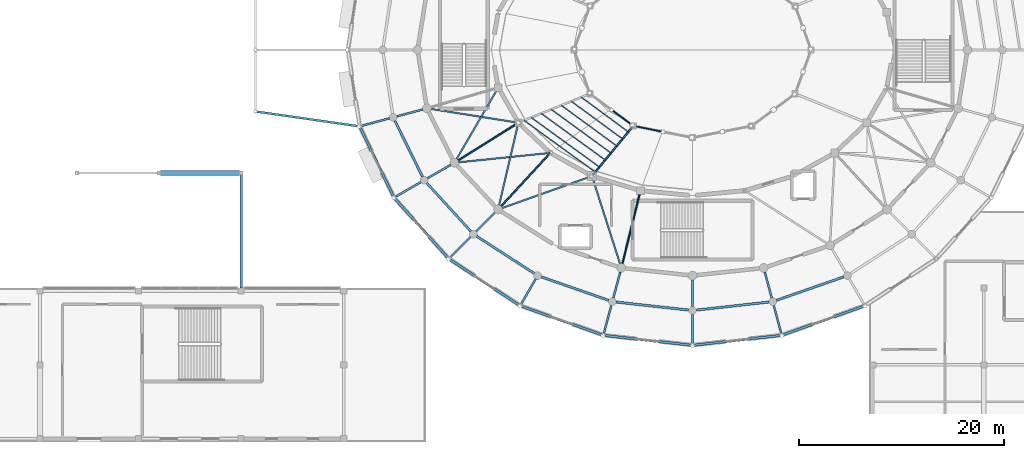
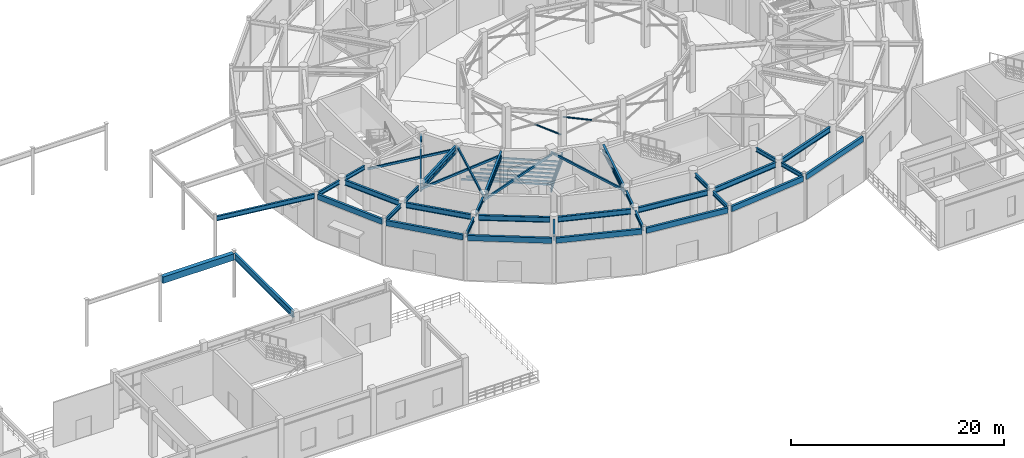
# One storey, part 24 of 93: 34 beams, 21 members.
"""IFC4 building model written with IfcOpenShell, lengths in metres."""

from ifc_helpers import new_model, si_unit, direction, frame, origin, origin_2d, place, context, subcontext, project, spatial, rectangle, hollow_rectangle, hollow_circle, i_section, extrude, material, material_profile, profile_set, type_object, element, save


model = new_model("IFC4")

# Units and contexts
model_context = context("Model", 3, precision=1e-05, world=origin(), true_north=direction((0.0, 1.0)))
body_context = subcontext(model_context, "Body", "Model", "MODEL_VIEW")
ifc_project = project(units=[si_unit("LENGTHUNIT", "METRE"), si_unit("AREAUNIT", "SQUARE_METRE"), si_unit("VOLUMEUNIT", "CUBIC_METRE"), si_unit("PLANEANGLEUNIT", "RADIAN"), si_unit("MASSUNIT", "GRAM", prefix="KILO")], contexts=[model_context])

# Site, building, storey
site_placement = place(None, origin())
site = spatial("IfcSite", under=ifc_project, at=site_placement, CompositionType="ELEMENT")
building_placement = place(site_placement, origin())
building = spatial("IfcBuilding", under=site, at=building_placement, Name="Cinderbank Siding Concert Hall", CompositionType="ELEMENT")
storey_placement = place(building_placement, origin())
storey = spatial("IfcBuildingStorey", under=building, at=storey_placement, Name="L01", CompositionType="ELEMENT", Elevation=0.0)

# Beams
ifc_material_1 = material(Name="Reinforced concrete AS 3600 N50 (50 MPa)", Category="concrete")
ifc_material_profile_1 = material_profile(ifc_material_1, rectangle(XDim=0.449951171875, YDim=0.75, at=origin_2d()), Name="RC-BM-450x750", Category="LoadBearing")
ifc_profile_set_1 = profile_set([ifc_material_profile_1], Name="Reinforced concrete AS 3600 N50 (50 MPa)")
beam_type_1 = type_object("IfcBeamType", Name="BM-RC750 RC-BM-450x750", PredefinedType="BEAM", material=ifc_profile_set_1)
beam_1_placement = place(storey_placement, frame((70.15380859375, 32.0, 4.7470703125), z_axis=(1.0, 0.0, 0.0), x_axis=(0.0, 1.0, 0.0)))
element("IfcBeam", 1, at=beam_1_placement, inside=storey, type_object=beam_type_1, Name="L01 Beam BM-RC750 #1443", PredefinedType="BEAM", context=body_context, shape_type="SweptSolid", body=[
    extrude(rectangle(XDim=0.449951171875, YDim=0.75, at=origin_2d()), origin(), (0.0, 0.0, 1.0), 7.6923828125),
])
ifc_material_2 = material(Name="Structural steel AS/NZS 3679.1 Grade 350 (340 MPa)", Category="steel")
ifc_material_profile_2 = material_profile(ifc_material_2, i_section(OverallWidth=0.19091796875, OverallDepth=0.46044921875, WebThickness=0.010009765625, FlangeThickness=0.01611328125, at=origin_2d()), Name="460UB82.1", Category="LoadBearing")
ifc_profile_set_2 = profile_set([ifc_material_profile_2], Name="Structural steel AS/NZS 3679.1 Grade 350 (340 MPa)")
beam_type_2 = type_object("IfcBeamType", Name="BM-UB460H 460UB82.1", PredefinedType="BEAM", material=ifc_profile_set_2)
beam_2_placement = place(storey_placement, frame((95.71044921875, 38.197998046875, 4.891845703125), z_axis=(-0.965932222184, -0.258795174118, 0.0), x_axis=(0.258795174118, -0.965932222184, 0.0)))
element("IfcBeam", 2, at=beam_2_placement, inside=storey, type_object=beam_type_2, Name="L01 Beam BM-UB460H #405", PredefinedType="BEAM", context=body_context, shape_type="SweptSolid", body=[
    extrude(i_section(OverallWidth=0.19091796875, OverallDepth=0.46044921875, WebThickness=0.010009765625, FlangeThickness=0.01611328125, at=origin_2d()), origin(), (0.0, 0.0, 1.0), 2.615966796875),
])
beam_3_placement = place(storey_placement, frame((98.429443359375, 32.79150390625, 4.891845703125), z_axis=(-0.866017746076, -0.500013263306, 0.0), x_axis=(0.500013263306, -0.866017746076, 0.0)))
element("IfcBeam", 3, at=beam_3_placement, inside=storey, type_object=beam_type_2, Name="L01 Beam BM-UB460H #406", PredefinedType="BEAM", context=body_context, shape_type="SweptSolid", body=[
    extrude(i_section(OverallWidth=0.19091796875, OverallDepth=0.46044921875, WebThickness=0.010009765625, FlangeThickness=0.01611328125, at=origin_2d()), origin(), (0.0, 0.0, 1.0), 2.6162109375),
])
beam_4_placement = place(storey_placement, frame((102.754638671875, 28.148681640625, 4.891845703125), z_axis=(-0.707153444121, -0.707060115172, 0.0), x_axis=(0.707060115172, -0.707153444121, 0.0)))
element("IfcBeam", 4, at=beam_4_placement, inside=storey, type_object=beam_type_2, Name="L01 Beam BM-UB460H #407", PredefinedType="BEAM", context=body_context, shape_type="SweptSolid", body=[
    extrude(i_section(OverallWidth=0.19091796875, OverallDepth=0.46044921875, WebThickness=0.010009765625, FlangeThickness=0.01611328125, at=origin_2d()), origin(), (0.0, 0.0, 1.0), 2.615966796875),
])
beam_5_placement = place(storey_placement, frame((114.955810546875, 22.3466796875, 4.891845703125), z_axis=(-0.258818505844, -0.965925970783, 0.0), x_axis=(0.965925970783, -0.258818505844, 0.0)))
element("IfcBeam", 5, at=beam_5_placement, inside=storey, type_object=beam_type_2, Name="L01 Beam BM-UB460H #408", PredefinedType="BEAM", context=body_context, shape_type="SweptSolid", body=[
    extrude(i_section(OverallWidth=0.19091796875, OverallDepth=0.46044921875, WebThickness=0.010009765625, FlangeThickness=0.01611328125, at=origin_2d()), origin(), (0.0, 0.0, 1.0), 2.61572265625),
])
beam_6_placement = place(storey_placement, frame((122.0, 21.5830078125, 4.891845703125), z_axis=(0.0, -1.0, 0.0), x_axis=(1.0, 0.0, 0.0)))
element("IfcBeam", 6, at=beam_6_placement, inside=storey, type_object=beam_type_2, Name="L01 Beam BM-UB460H #409", PredefinedType="BEAM", context=body_context, shape_type="SweptSolid", body=[
    extrude(i_section(OverallWidth=0.19091796875, OverallDepth=0.46044921875, WebThickness=0.010009765625, FlangeThickness=0.01611328125, at=origin_2d()), origin(), (0.0, 0.0, 1.0), 2.615966796875),
])
beam_7_placement = place(storey_placement, frame((129.044189453125, 22.3466796875, 4.891845703125), z_axis=(0.258818505844, -0.965925970783, 0.0), x_axis=(0.965925970783, 0.258818505844, 0.0)))
element("IfcBeam", 7, at=beam_7_placement, inside=storey, type_object=beam_type_2, Name="L01 Beam BM-UB460H #410", PredefinedType="BEAM", context=body_context, shape_type="SweptSolid", body=[
    extrude(i_section(OverallWidth=0.19091796875, OverallDepth=0.46044921875, WebThickness=0.010009765625, FlangeThickness=0.01611328125, at=origin_2d()), origin(), (0.0, 0.0, 1.0), 2.61572265625),
])
for number, where, z_axis, x_axis, name in (
    (8, (92.474609375, 37.3310546875, 4.871826171875), (-0.965915793318, -0.258856485758, 0.0), (0.258856485758, -0.965915793318, 0.0), "L01 Beam BM-UB460H #429"),
    (9, (95.5283203125, 31.116455078125, 4.871826171875), (-0.866032301043, -0.499988053408, 0.0), (0.499988053408, -0.866032301043, 0.0), "L01 Beam BM-UB460H #430"),
):
    element("IfcBeam", number, at=place(storey_placement, frame(where, z_axis=z_axis, x_axis=x_axis)), inside=storey, type_object=beam_type_2, Name=name, PredefinedType="BEAM", context=body_context, shape_type="SweptSolid", body=[
        extrude(i_section(OverallWidth=0.19091796875, OverallDepth=0.46044921875, WebThickness=0.010009765625, FlangeThickness=0.01611328125, at=origin_2d()), origin(), (0.0, 0.0, 1.0), 2.837890625),
    ])
beam_8_placement = place(storey_placement, frame((100.385986328125, 25.780029296875, 4.871826171875), z_axis=(-0.707106781187, -0.707106781187, 0.0), x_axis=(0.707106781187, -0.707106781187, 0.0)))
element("IfcBeam", 10, at=beam_8_placement, inside=storey, type_object=beam_type_2, Name="L01 Beam BM-UB460H #431", PredefinedType="BEAM", context=body_context, shape_type="SweptSolid", body=[
    extrude(i_section(OverallWidth=0.19091796875, OverallDepth=0.46044921875, WebThickness=0.010009765625, FlangeThickness=0.01611328125, at=origin_2d()), origin(), (0.0, 0.0, 1.0), 2.838134765625),
])
for number, where, z_axis, x_axis, name in (
    (11, (106.716552734375, 21.685302734375, 4.871826171875), (-0.499988053408, -0.866032301043, 0.0), (0.866032301043, -0.499988053408, 0.0), "L01 Beam BM-UB460H #432"),
    (12, (114.088623046875, 19.111083984375, 4.871826171875), (-0.258776220076, -0.965937300203, 0.0), (0.965937300203, -0.258776220076, 0.0), "L01 Beam BM-UB460H #433"),
):
    element("IfcBeam", number, at=place(storey_placement, frame(where, z_axis=z_axis, x_axis=x_axis)), inside=storey, type_object=beam_type_2, Name=name, PredefinedType="BEAM", context=body_context, shape_type="SweptSolid", body=[
        extrude(i_section(OverallWidth=0.19091796875, OverallDepth=0.46044921875, WebThickness=0.010009765625, FlangeThickness=0.01611328125, at=origin_2d()), origin(), (0.0, 0.0, 1.0), 2.837890625),
    ])
beam_9_placement = place(storey_placement, frame((122.0, 18.23291015625, 4.871826171875), z_axis=(0.0, -1.0, 0.0), x_axis=(1.0, 0.0, 0.0)))
element("IfcBeam", 13, at=beam_9_placement, inside=storey, type_object=beam_type_2, Name="L01 Beam BM-UB460H #434", PredefinedType="BEAM", context=body_context, shape_type="SweptSolid", body=[
    extrude(i_section(OverallWidth=0.19091796875, OverallDepth=0.46044921875, WebThickness=0.010009765625, FlangeThickness=0.01611328125, at=origin_2d()), origin(), (0.0, 0.0, 1.0), 2.837646484375),
])
beam_10_placement = place(storey_placement, frame((129.911376953125, 19.111083984375, 4.871826171875), z_axis=(0.258776220076, -0.965937300203, 0.0), x_axis=(0.965937300203, 0.258776220076, 0.0)))
element("IfcBeam", 14, at=beam_10_placement, inside=storey, type_object=beam_type_2, Name="L01 Beam BM-UB460H #435", PredefinedType="BEAM", context=body_context, shape_type="SweptSolid", body=[
    extrude(i_section(OverallWidth=0.19091796875, OverallDepth=0.46044921875, WebThickness=0.010009765625, FlangeThickness=0.01611328125, at=origin_2d()), origin(), (0.0, 0.0, 1.0), 2.837890625),
])
ifc_material_profile_3 = material_profile(ifc_material_2, i_section(OverallWidth=0.208984375, OverallDepth=0.5283203125, WebThickness=0.009521484375, FlangeThickness=0.01318359375, at=origin_2d()), Name="530UB82.0", Category="LoadBearing")
ifc_profile_set_3 = profile_set([ifc_material_profile_3], Name="Structural steel AS/NZS 3679.1 Grade 350 (340 MPa)")
beam_type_3 = type_object("IfcBeamType", Name="BM-UB530 530UB82.0", PredefinedType="BEAM", material=ifc_profile_set_3)
beam_11_placement = place(storey_placement, frame((79.552490234375, 37.978271484375, 4.8359375), z_axis=(0.989883786207, -0.141880547662, 0.0), x_axis=(0.141880547662, 0.989883786207, 0.0)))
element("IfcBeam", 15, at=beam_11_placement, inside=storey, type_object=beam_type_3, Name="L01 Beam BM-UB530 #33", PredefinedType="BEAM", context=body_context, shape_type="SweptSolid", body=[
    extrude(i_section(OverallWidth=0.208984375, OverallDepth=0.5283203125, WebThickness=0.009521484375, FlangeThickness=0.01318359375, at=origin_2d()), origin(), (0.0, 0.0, 1.0), 9.8994140625),
])
ifc_material_profile_4 = material_profile(ifc_material_2, i_section(OverallWidth=0.208984375, OverallDepth=0.532958984375, WebThickness=0.01025390625, FlangeThickness=0.015625, at=origin_2d()), Name="530UB92.4", Category="LoadBearing")
ifc_profile_set_4 = profile_set([ifc_material_profile_4], Name="Structural steel AS/NZS 3679.1 Grade 350 (340 MPa)")
beam_type_4 = type_object("IfcBeamType", Name="BM-UB530H 530UB92.4", PredefinedType="BEAM", material=ifc_profile_set_4)
beam_12_placement = place(storey_placement, frame((116.193115234375, 36.556884765625, -0.25146484375), z_axis=(-0.625608960275, -0.760554810205, 0.173694586838), x_axis=(0.772294012286, -0.635265266316, 0.0)))
element("IfcBeam", 16, at=beam_12_placement, inside=storey, type_object=beam_type_4, Name="L01 Beam BM-UB530H #99", PredefinedType="BEAM", context=body_context, shape_type="SweptSolid", body=[
    extrude(i_section(OverallWidth=0.208984375, OverallDepth=0.532958984375, WebThickness=0.01025390625, FlangeThickness=0.015625, at=origin_2d()), origin(), (0.0, 0.0, 1.0), 6.33203125),
])
beam_13_placement = place(storey_placement, frame((104.73583984375, 36.718505859375, 4.87548828125), z_axis=(-0.847831894761, -0.530265101836, 0.0), x_axis=(0.530265101836, -0.847831894761, 0.0)))
element("IfcBeam", 17, at=beam_13_placement, inside=storey, type_object=beam_type_4, Name="L01 Beam BM-UB530H #386", PredefinedType="BEAM", context=body_context, shape_type="SweptSolid", body=[
    extrude(i_section(OverallWidth=0.208984375, OverallDepth=0.532958984375, WebThickness=0.01025390625, FlangeThickness=0.015625, at=origin_2d()), origin(), (0.0, 0.0, 1.0), 6.595458984375),
])
beam_14_placement = place(storey_placement, frame((108.010498046875, 33.818115234375, 4.87548828125), z_axis=(-0.678277162402, -0.734806158768, 0.0), x_axis=(0.734806158768, -0.678277162402, 0.0)))
element("IfcBeam", 18, at=beam_14_placement, inside=storey, type_object=beam_type_4, Name="L01 Beam BM-UB530H #387", PredefinedType="BEAM", context=body_context, shape_type="SweptSolid", body=[
    extrude(i_section(OverallWidth=0.208984375, OverallDepth=0.532958984375, WebThickness=0.01025390625, FlangeThickness=0.015625, at=origin_2d()), origin(), (0.0, 0.0, 1.0), 6.897216796875),
])
beam_15_placement = place(storey_placement, frame((116.839111328125, 29.927490234375, 4.87548828125), z_axis=(-0.240106099592, -0.970746651263, 0.0), x_axis=(0.970746651263, -0.240106099592, 0.0)))
element("IfcBeam", 19, at=beam_15_placement, inside=storey, type_object=beam_type_4, Name="L01 Beam BM-UB530H #388", PredefinedType="BEAM", context=body_context, shape_type="SweptSolid", body=[
    extrude(i_section(OverallWidth=0.208984375, OverallDepth=0.532958984375, WebThickness=0.01025390625, FlangeThickness=0.015625, at=origin_2d()), origin(), (0.0, 0.0, 1.0), 6.977294921875),
])
ifc_material_profile_5 = material_profile(ifc_material_2, i_section(OverallWidth=0.22802734375, OverallDepth=0.60693359375, WebThickness=0.01123046875, FlangeThickness=0.017333984375, at=origin_2d()), Name="610UB113", Category="LoadBearing")
ifc_profile_set_5 = profile_set([ifc_material_profile_5], Name="Structural steel AS/NZS 3679.1 Grade 350 (340 MPa)")
beam_type_5 = type_object("IfcBeamType", Name="BM-UB610M 610UB113", PredefinedType="BEAM", material=ifc_profile_set_5)
beam_16_placement = place(storey_placement, frame((92.9912109375, 37.0966796875, 4.798583984375), z_axis=(0.441805555106, -0.89711083567, 0.0), x_axis=(0.89711083567, 0.441805555106, 0.0)))
element("IfcBeam", 20, at=beam_16_placement, inside=storey, type_object=beam_type_5, Name="L01 Beam BM-UB610M #346", PredefinedType="BEAM", context=body_context, shape_type="SweptSolid", body=[
    extrude(i_section(OverallWidth=0.22802734375, OverallDepth=0.60693359375, WebThickness=0.01123046875, FlangeThickness=0.017333984375, at=origin_2d()), origin(), (0.0, 0.0, 1.0), 6.094482421875),
])
beam_17_placement = place(storey_placement, frame((96.093505859375, 31.02880859375, 4.798583984375), z_axis=(0.673967477755, -0.738761016113, 0.0), x_axis=(0.738761016113, 0.673967477755, 0.0)))
element("IfcBeam", 21, at=beam_17_placement, inside=storey, type_object=beam_type_5, Name="L01 Beam BM-UB610M #347", PredefinedType="BEAM", context=body_context, shape_type="SweptSolid", body=[
    extrude(i_section(OverallWidth=0.22802734375, OverallDepth=0.60693359375, WebThickness=0.01123046875, FlangeThickness=0.017333984375, at=origin_2d()), origin(), (0.0, 0.0, 1.0), 6.38671875),
])
beam_18_placement = place(storey_placement, frame((100.953857421875, 25.840576171875, 4.798583984375), z_axis=(0.840198253685, -0.542279350984, 0.0), x_axis=(0.542279350984, 0.840198253685, 0.0)))
element("IfcBeam", 22, at=beam_18_placement, inside=storey, type_object=beam_type_5, Name="L01 Beam BM-UB610M #348", PredefinedType="BEAM", context=body_context, shape_type="SweptSolid", body=[
    extrude(i_section(OverallWidth=0.22802734375, OverallDepth=0.60693359375, WebThickness=0.01123046875, FlangeThickness=0.017333984375, at=origin_2d()), origin(), (0.0, 0.0, 1.0), 6.7099609375),
])
beam_19_placement = place(storey_placement, frame((107.24658203125, 21.88232421875, 4.798583984375), z_axis=(0.944329139602, -0.329002243303, 0.0), x_axis=(0.329002243303, 0.944329139602, 0.0)))
element("IfcBeam", 23, at=beam_19_placement, inside=storey, type_object=beam_type_5, Name="L01 Beam BM-UB610M #349", PredefinedType="BEAM", context=body_context, shape_type="SweptSolid", body=[
    extrude(i_section(OverallWidth=0.22802734375, OverallDepth=0.60693359375, WebThickness=0.01123046875, FlangeThickness=0.017333984375, at=origin_2d()), origin(), (0.0, 0.0, 1.0), 6.97900390625),
])
for number, where, z_axis, x_axis, name in (
    (24, (114.548583984375, 19.425048828125, 4.798583984375), (0.993925837604, -0.1100519393, 0.0), (0.1100519393, 0.993925837604, 0.0), "L01 Beam BM-UB610M #350"),
    (25, (122.36474609375, 18.640380859375, 4.798583984375), (0.993925837604, 0.1100519393, 0.0), (-0.1100519393, 0.993925837604, 0.0), "L01 Beam BM-UB610M #351"),
):
    element("IfcBeam", number, at=place(storey_placement, frame(where, z_axis=z_axis, x_axis=x_axis)), inside=storey, type_object=beam_type_5, Name=name, PredefinedType="BEAM", context=body_context, shape_type="SweptSolid", body=[
        extrude(i_section(OverallWidth=0.22802734375, OverallDepth=0.60693359375, WebThickness=0.01123046875, FlangeThickness=0.017333984375, at=origin_2d()), origin(), (0.0, 0.0, 1.0), 7.1298828125),
    ])
beam_20_placement = place(storey_placement, frame((130.162841796875, 19.586181640625, 4.798583984375), z_axis=(0.944329139602, 0.329002243303, 0.0), x_axis=(-0.329002243303, 0.944329139602, 0.0)))
element("IfcBeam", 26, at=beam_20_placement, inside=storey, type_object=beam_type_5, Name="L01 Beam BM-UB610M #352", PredefinedType="BEAM", context=body_context, shape_type="SweptSolid", body=[
    extrude(i_section(OverallWidth=0.22802734375, OverallDepth=0.60693359375, WebThickness=0.01123046875, FlangeThickness=0.017333984375, at=origin_2d()), origin(), (0.0, 0.0, 1.0), 6.97900390625),
])
ifc_material_3 = material(Name="Structural steel welded plate section AS/NZS 3679.2 / AS/NZS 3678 Grade 350 (340 MPa)", Category="steel")
ifc_material_profile_6 = material_profile(ifc_material_3, i_section(OverallWidth=0.25, OverallDepth=0.699951171875, WebThickness=0.010009765625, FlangeThickness=0.01611328125, at=origin_2d()), Name="700WB130", Category="LoadBearing")
ifc_profile_set_6 = profile_set([ifc_material_profile_6], Name="Structural steel welded plate section AS/NZS 3679.2 / AS/NZS 3678 Grade 350 (340 MPa)")
beam_type_6 = type_object("IfcBeamType", Name="BM-WB700 700WB130", PredefinedType="BEAM", material=ifc_profile_set_6)
beam_21_placement = place(storey_placement, frame((78.0, 20.7919921875, 4.7919921875), z_axis=(0.0, 1.0, 0.0), x_axis=(-1.0, 0.0, 0.0)))
element("IfcBeam", 27, at=beam_21_placement, inside=storey, type_object=beam_type_6, Name="L01 Beam BM-WB700 #1403", PredefinedType="BEAM", context=body_context, shape_type="SweptSolid", body=[
    extrude(i_section(OverallWidth=0.25, OverallDepth=0.699951171875, WebThickness=0.010009765625, FlangeThickness=0.01611328125, at=origin_2d()), origin(), (0.0, 0.0, 1.0), 11.05419921875),
])

# Members
ifc_material_4 = material(Name="Structural steel hollow section AS/NZS 1163 Grade C350L0 (350 MPa)", Category="steel")
ifc_material_profile_7 = material_profile(ifc_material_4, hollow_circle(Radius=0.084228515625, WallThickness=0.007080078125, at=origin_2d()), Name="168.3x7.1CHS", Category="LoadBearing")
ifc_profile_set_7 = profile_set([ifc_material_profile_7], Name="Structural steel hollow section AS/NZS 1163 Grade C350L0 (350 MPa)")
member_type_1 = type_object("IfcMemberType", Name="BR-CHS168 168.3x7.1CHS Roof Truss", PredefinedType="BRACE", material=ifc_profile_set_7)
member_1_placement = place(storey_placement, frame((116.22509765625, 36.595458984375, 0.300048828125), z_axis=(-0.631227525704, -0.767335601999, 0.1129065308), x_axis=(0.772273819235, -0.635289814277, 0.0)))
element("IfcMember", 28, at=member_1_placement, inside=storey, type_object=member_type_1, Name="L01 Diagonal Brace BR-CHS168 #RKDG-BR-CHS168-L01-1930", PredefinedType="BRACE", context=body_context, shape_type="SweptSolid", body=[
    extrude(hollow_circle(Radius=0.084228515625, WallThickness=0.007080078125, at=origin_2d()), origin(), (0.0, 0.0, 1.0), 6.376708984375),
])
member_2_placement = place(storey_placement, frame((112.199951171875, 31.702392578125, 0.300048828125), z_axis=(0.634149540492, 0.770887674564, -0.059887840999), x_axis=(-0.772273819235, 0.635289814277, 0.0)))
element("IfcMember", 29, at=member_2_placement, inside=storey, type_object=member_type_1, Name="L01 Diagonal Brace BR-CHS168 #RKDG-BR-CHS168-L01-1931", PredefinedType="BRACE", context=body_context, shape_type="SweptSolid", body=[
    extrude(hollow_circle(Radius=0.084228515625, WallThickness=0.007080078125, at=origin_2d()), origin(), (0.0, 0.0, 1.0), 6.347412109375),
])
member_3_placement = place(storey_placement, frame((116.16064453125, 36.64306640625, 2.39990234375), z_axis=(-0.74623631097, 0.552459772201, 0.3713752392), x_axis=(-0.595013427463, -0.803715758921, 0.0)))
element("IfcMember", 30, at=member_3_placement, inside=storey, type_object=member_type_1, Name="L01 Diagonal Brace BR-CHS168 #RKCR-BR-CHS168-L01-2037", PredefinedType="BRACE", context=body_context, shape_type="SweptSolid", body=[
    extrude(hollow_circle(Radius=0.084228515625, WallThickness=0.007080078125, at=origin_2d()), origin(), (0.0, 0.0, 1.0), 2.7314453125),
])
member_4_placement = place(storey_placement, frame((119.0986328125, 36.025390625, 3.425048828125), z_axis=(-0.92403482777, 0.183289640481, 0.335506400475), x_axis=(-0.194567156265, -0.980889199504, 0.0)))
element("IfcMember", 31, at=member_4_placement, inside=storey, type_object=member_type_1, Name="L01 Diagonal Brace BR-CHS168 #RKCR-BR-CHS168-L01-2039-S173", PredefinedType="BRACE", context=body_context, shape_type="SweptSolid", body=[
    extrude(hollow_circle(Radius=0.084228515625, WallThickness=0.007080078125, at=origin_2d()), origin(), (0.0, 0.0, 1.0), 3.02490234375),
])
ifc_material_profile_8 = material_profile(ifc_material_4, hollow_rectangle(XDim=0.10009765625, YDim=0.199951171875, WallThickness=0.008056640625, at=origin_2d()), Name="200x100x8.0RHS", Category="LoadBearing")
ifc_profile_set_8 = profile_set([ifc_material_profile_8], Name="Structural steel hollow section AS/NZS 1163 Grade C350L0 (350 MPa)")
member_type_2 = type_object("IfcMemberType", Name="PR-RHS200 200x100x8.0RHS Roof Truss", PredefinedType="PURLIN", material=ifc_profile_set_8)
member_5_placement = place(storey_placement, frame((111.160888671875, 39.385986328125, -0.16796875), z_axis=(0.804873593743, -0.593446289141, 0.0), x_axis=(0.593446289141, 0.804873593743, 0.0)))
element("IfcMember", 32, at=member_5_placement, inside=storey, type_object=member_type_2, Name="L01 Roof Truss Member PR-RHS200 #1963", PredefinedType="PURLIN", context=body_context, shape_type="SweptSolid", body=[
    extrude(hollow_rectangle(XDim=0.10009765625, YDim=0.199951171875, WallThickness=0.008056640625, at=origin_2d()), origin(), (0.0, 0.0, 1.0), 5.691650390625),
])
member_6_placement = place(storey_placement, frame((110.184814453125, 38.990478515625, -0.013916015625), z_axis=(0.806002667019, -0.591911902869, 0.0), x_axis=(0.591911902869, 0.806002667019, 0.0)))
element("IfcMember", 33, at=member_6_placement, inside=storey, type_object=member_type_2, Name="L01 Roof Truss Member PR-RHS200 #1964", PredefinedType="PURLIN", context=body_context, shape_type="SweptSolid", body=[
    extrude(hollow_rectangle(XDim=0.10009765625, YDim=0.199951171875, WallThickness=0.008056640625, at=origin_2d()), origin(), (0.0, 0.0, 1.0), 6.195556640625),
])
member_7_placement = place(storey_placement, frame((109.208740234375, 38.594970703125, 0.139892578125), z_axis=(0.806959583064, -0.590606663779, 0.0), x_axis=(0.590606663779, 0.806959583064, 0.0)))
element("IfcMember", 34, at=member_7_placement, inside=storey, type_object=member_type_2, Name="L01 Roof Truss Member PR-RHS200 #1965", PredefinedType="PURLIN", context=body_context, shape_type="SweptSolid", body=[
    extrude(hollow_rectangle(XDim=0.10009765625, YDim=0.199951171875, WallThickness=0.008056640625, at=origin_2d()), origin(), (0.0, 0.0, 1.0), 6.699462890625),
])
member_8_placement = place(storey_placement, frame((108.23291015625, 38.199462890625, 0.2939453125), z_axis=(0.807769138252, -0.589498956137, 0.0), x_axis=(0.589498956137, 0.807769138252, 0.0)))
element("IfcMember", 35, at=member_8_placement, inside=storey, type_object=member_type_2, Name="L01 Roof Truss Member PR-RHS200 #1966", PredefinedType="PURLIN", context=body_context, shape_type="SweptSolid", body=[
    extrude(hollow_rectangle(XDim=0.10009765625, YDim=0.199951171875, WallThickness=0.008056640625, at=origin_2d()), origin(), (0.0, 0.0, 1.0), 7.203369140625),
])
member_9_placement = place(storey_placement, frame((107.2568359375, 37.803955078125, 0.447998046875), z_axis=(0.808497668227, -0.588499380179, 0.0), x_axis=(0.588499380179, 0.808497668227, 0.0)))
element("IfcMember", 36, at=member_9_placement, inside=storey, type_object=member_type_2, Name="L01 Roof Truss Member PR-RHS200 #1967", PredefinedType="PURLIN", context=body_context, shape_type="SweptSolid", body=[
    extrude(hollow_rectangle(XDim=0.10009765625, YDim=0.199951171875, WallThickness=0.008056640625, at=origin_2d()), origin(), (0.0, 0.0, 1.0), 7.70703125),
])
member_10_placement = place(storey_placement, frame((106.28076171875, 37.408447265625, 0.60205078125), z_axis=(0.80912163461, -0.587641200398, 0.0), x_axis=(0.587641200398, 0.80912163461, 0.0)))
element("IfcMember", 37, at=member_10_placement, inside=storey, type_object=member_type_2, Name="L01 Roof Truss Member PR-RHS200 #1968", PredefinedType="PURLIN", context=body_context, shape_type="SweptSolid", body=[
    extrude(hollow_rectangle(XDim=0.10009765625, YDim=0.199951171875, WallThickness=0.008056640625, at=origin_2d()), origin(), (0.0, 0.0, 1.0), 8.211181640625),
])
member_11_placement = place(storey_placement, frame((105.58349609375, 37.1259765625, 0.7119140625), z_axis=(0.809508911887, -0.587107589438, 0.0), x_axis=(0.587107589438, 0.809508911887, 0.0)))
element("IfcMember", 38, at=member_11_placement, inside=storey, type_object=member_type_2, Name="L01 Roof Truss Member PR-RHS200 #1969", PredefinedType="PURLIN", context=body_context, shape_type="SweptSolid", body=[
    extrude(hollow_rectangle(XDim=0.10009765625, YDim=0.199951171875, WallThickness=0.008056640625, at=origin_2d()), origin(), (0.0, 0.0, 1.0), 8.5712890625),
])
member_12_placement = place(storey_placement, frame((105.02587890625, 36.89990234375, 4.239990234375), z_axis=(-0.847826684568, -0.530273432235, 0.0), x_axis=(0.530273432235, -0.847826684568, 0.0)))
element("IfcMember", 39, at=member_12_placement, inside=storey, type_object=member_type_2, Name="L01 Roof Truss Member PR-RHS200 #2196", PredefinedType="PURLIN", context=body_context, shape_type="SweptSolid", body=[
    extrude(hollow_rectangle(XDim=0.10009765625, YDim=0.199951171875, WallThickness=0.008056640625, at=origin_2d()), origin(), (0.0, 0.0, 1.0), 7.3544921875),
])
member_13_placement = place(storey_placement, frame((108.140625, 33.958984375, 4.239990234375), z_axis=(-0.678276049894, -0.734807185689, 0.0), x_axis=(0.734807185689, -0.678276049894, 0.0)))
element("IfcMember", 40, at=member_13_placement, inside=storey, type_object=member_type_2, Name="L01 Roof Truss Member PR-RHS200 #2198", PredefinedType="PURLIN", context=body_context, shape_type="SweptSolid", body=[
    extrude(hollow_rectangle(XDim=0.10009765625, YDim=0.199951171875, WallThickness=0.008056640625, at=origin_2d()), origin(), (0.0, 0.0, 1.0), 7.505859375),
])
member_14_placement = place(storey_placement, frame((116.927001953125, 30.283935546875, 4.239990234375), z_axis=(-0.240070192761, -0.970755531814, 0.0), x_axis=(0.970755531814, -0.240070192761, 0.0)))
element("IfcMember", 41, at=member_14_placement, inside=storey, type_object=member_type_2, Name="L01 Roof Truss Member PR-RHS200 #2200", PredefinedType="PURLIN", context=body_context, shape_type="SweptSolid", body=[
    extrude(hollow_rectangle(XDim=0.10009765625, YDim=0.199951171875, WallThickness=0.008056640625, at=origin_2d()), origin(), (0.0, 0.0, 1.0), 7.761474609375),
])

# Beams
ifc_material_5 = material(Name="Spotted gum glulam timber GL18 (42 MPa)", Category="wood")
ifc_material_profile_9 = material_profile(ifc_material_5, rectangle(XDim=0.239990234375, YDim=0.60009765625, at=origin_2d()), Name="GL18-240x600", Category="LoadBearing")
ifc_profile_set_9 = profile_set([ifc_material_profile_9], Name="Spotted gum glulam timber GL18 (42 MPa)")
beam_type_7 = type_object("IfcBeamType", Name="SP-GL600 GL18-240x600", PredefinedType="SPANDREL", material=ifc_profile_set_9)
beam_22_placement = place(storey_placement, frame((89.6298828125, 36.3701171875, 4.802001953125), z_axis=(0.435119119312, -0.900372896087, 0.0), x_axis=(0.900372896087, 0.435119119312, 0.0)))
element("IfcBeam", 42, at=beam_22_placement, inside=storey, type_object=beam_type_7, Name="L01 Beam SP-GL600 #370", PredefinedType="SPANDREL", context=body_context, shape_type="SweptSolid", body=[
    extrude(rectangle(XDim=0.239990234375, YDim=0.60009765625, at=origin_2d()), origin(), (0.0, 0.0, 1.0), 7.323974609375),
])
beam_23_placement = place(storey_placement, frame((93.03173828125, 29.45458984375, 4.802001953125), z_axis=(0.66699631625, -0.745061013682, 0.0), x_axis=(0.745061013682, 0.66699631625, 0.0)))
element("IfcBeam", 43, at=beam_23_placement, inside=storey, type_object=beam_type_7, Name="L01 Beam SP-GL600 #371", PredefinedType="SPANDREL", context=body_context, shape_type="SweptSolid", body=[
    extrude(rectangle(XDim=0.239990234375, YDim=0.60009765625, at=origin_2d()), origin(), (0.0, 0.0, 1.0), 7.615234375),
])
beam_24_placement = place(storey_placement, frame((98.404296875, 23.528076171875, 4.802001953125), z_axis=(0.835488051266, -0.549508613392, 0.0), x_axis=(0.549508613392, 0.835488051266, 0.0)))
element("IfcBeam", 44, at=beam_24_placement, inside=storey, type_object=beam_type_7, Name="L01 Beam SP-GL600 #372", PredefinedType="SPANDREL", context=body_context, shape_type="SweptSolid", body=[
    extrude(rectangle(XDim=0.239990234375, YDim=0.60009765625, at=origin_2d()), origin(), (0.0, 0.0, 1.0), 7.9384765625),
])
beam_25_placement = place(storey_placement, frame((105.3837890625, 18.9931640625, 4.802001953125), z_axis=(0.942369378189, -0.334574289287, 0.0), x_axis=(0.334574289287, 0.942369378189, 0.0)))
element("IfcBeam", 45, at=beam_25_placement, inside=storey, type_object=beam_type_7, Name="L01 Beam SP-GL600 #373", PredefinedType="SPANDREL", context=body_context, shape_type="SweptSolid", body=[
    extrude(rectangle(XDim=0.239990234375, YDim=0.60009765625, at=origin_2d()), origin(), (0.0, 0.0, 1.0), 8.209228515625),
])
for number, where, z_axis, x_axis, name in (
    (46, (113.497802734375, 16.159423828125, 4.802001953125), (0.993693548107, -0.112129980157, 0.0), (0.112129980157, 0.993693548107, 0.0), "L01 Beam SP-GL600 #374"),
    (47, (122.194091796875, 15.221923828125, 4.802001953125), (0.993693548107, 0.112129980157, 0.0), (-0.112129980157, 0.993693548107, 0.0), "L01 Beam SP-GL600 #375"),
):
    element("IfcBeam", number, at=place(storey_placement, frame(where, z_axis=z_axis, x_axis=x_axis)), inside=storey, type_object=beam_type_7, Name=name, PredefinedType="SPANDREL", context=body_context, shape_type="SweptSolid", body=[
        extrude(rectangle(XDim=0.239990234375, YDim=0.60009765625, at=origin_2d()), origin(), (0.0, 0.0, 1.0), 8.36083984375),
    ])
beam_26_placement = place(storey_placement, frame((130.880126953125, 16.24658203125, 4.802001953125), z_axis=(0.942369378189, 0.334574289287, 0.0), x_axis=(-0.334574289287, 0.942369378189, 0.0)))
element("IfcBeam", 48, at=beam_26_placement, inside=storey, type_object=beam_type_7, Name="L01 Beam SP-GL600 #376", PredefinedType="SPANDREL", context=body_context, shape_type="SweptSolid", body=[
    extrude(rectangle(XDim=0.239990234375, YDim=0.60009765625, at=origin_2d()), origin(), (0.0, 0.0, 1.0), 8.209228515625),
])

# Members
ifc_material_profile_10 = material_profile(ifc_material_4, hollow_rectangle(XDim=0.14990234375, YDim=0.25, WallThickness=0.009033203125, at=origin_2d()), Name="250x150x9.0RHS", Category="LoadBearing")
ifc_profile_set_10 = profile_set([ifc_material_profile_10], Name="Structural steel hollow section AS/NZS 1163 Grade C350L0 (350 MPa)")
member_type_3 = type_object("IfcMemberType", Name="TR-RHS250 250x150x9.0RHS Roof Truss", PredefinedType="RAFTER", material=ifc_profile_set_10)
member_15_placement = place(storey_placement, frame((116.22509765625, 36.595458984375, 0.300048828125), z_axis=(-0.635289814277, -0.772273819235, 0.0), x_axis=(0.772273819235, -0.635289814277, 0.0)))
element("IfcMember", 49, at=member_15_placement, inside=storey, type_object=member_type_3, Name="L01 Roof Truss Member TR-RHS250 #1929", PredefinedType="RAFTER", context=body_context, shape_type="SweptSolid", body=[
    extrude(hollow_rectangle(XDim=0.14990234375, YDim=0.25, WallThickness=0.009033203125, at=origin_2d()), origin(), (0.0, 0.0, 1.0), 6.3359375),
])
member_16_placement = place(storey_placement, frame((103.06787109375, 40.32470703125, 4.780029296875), z_axis=(-0.50427542144, -0.863542876372, 0.0), x_axis=(0.863542876372, -0.50427542144, 0.0)))
element("IfcMember", 50, at=member_16_placement, inside=storey, type_object=member_type_3, Name="L01 Roof Truss Member TR-RHS250 #2191", PredefinedType="RAFTER", context=body_context, shape_type="SweptSolid", body=[
    extrude(hollow_rectangle(XDim=0.14990234375, YDim=0.25, WallThickness=0.009033203125, at=origin_2d()), origin(), (0.0, 0.0, 1.0), 8.482177734375),
])
member_17_placement = place(storey_placement, frame((105.02587890625, 36.89990234375, 4.5), z_axis=(-0.987784236991, 0.155827793262, 0.0), x_axis=(-0.155827793262, -0.987784236991, 0.0)))
element("IfcMember", 51, at=member_17_placement, inside=storey, type_object=member_type_3, Name="L01 Roof Truss Member TR-RHS250 #2192", PredefinedType="RAFTER", context=body_context, shape_type="SweptSolid", body=[
    extrude(hollow_rectangle(XDim=0.14990234375, YDim=0.25, WallThickness=0.009033203125, at=origin_2d()), origin(), (0.0, 0.0, 1.0), 9.022705078125),
])
member_18_placement = place(storey_placement, frame((105.02587890625, 36.89990234375, 4.780029296875), z_axis=(-0.227577092084, -0.973760066525, 0.0), x_axis=(0.973760066525, -0.227577092084, 0.0)))
element("IfcMember", 52, at=member_18_placement, inside=storey, type_object=member_type_3, Name="L01 Roof Truss Member TR-RHS250 #2194", PredefinedType="RAFTER", context=body_context, shape_type="SweptSolid", body=[
    extrude(hollow_rectangle(XDim=0.14990234375, YDim=0.25, WallThickness=0.009033203125, at=origin_2d()), origin(), (0.0, 0.0, 1.0), 8.68408203125),
])
member_19_placement = place(storey_placement, frame((108.140625, 33.958984375, 4.5), z_axis=(-0.994781438611, -0.102028865499, 0.0), x_axis=(0.102028865499, -0.994781438611, 0.0)))
element("IfcMember", 53, at=member_19_placement, inside=storey, type_object=member_type_3, Name="L01 Roof Truss Member TR-RHS250 #2195", PredefinedType="RAFTER", context=body_context, shape_type="SweptSolid", body=[
    extrude(hollow_rectangle(XDim=0.14990234375, YDim=0.25, WallThickness=0.009033203125, at=origin_2d()), origin(), (0.0, 0.0, 1.0), 9.399169921875),
])
member_20_placement = place(storey_placement, frame((112.199951171875, 31.702392578125, 4.5), z_axis=(-0.942041785809, -0.335495564487, 0.0), x_axis=(0.335495564487, -0.942041785809, 0.0)))
element("IfcMember", 54, at=member_20_placement, inside=storey, type_object=member_type_3, Name="L01 Roof Truss Member TR-RHS250 #2197", PredefinedType="RAFTER", context=body_context, shape_type="SweptSolid", body=[
    extrude(hollow_rectangle(XDim=0.14990234375, YDim=0.25, WallThickness=0.009033203125, at=origin_2d()), origin(), (0.0, 0.0, 1.0), 9.71337890625),
])
member_21_placement = place(storey_placement, frame((112.199951171875, 31.702392578125, 4.780029296875), z_axis=(0.304664519425, -0.952459726499, 0.0), x_axis=(0.952459726499, 0.304664519425, 0.0)))
element("IfcMember", 55, at=member_21_placement, inside=storey, type_object=member_type_3, Name="L01 Roof Truss Member TR-RHS250 #2199", PredefinedType="RAFTER", context=body_context, shape_type="SweptSolid", body=[
    extrude(hollow_rectangle(XDim=0.14990234375, YDim=0.25, WallThickness=0.009033203125, at=origin_2d()), origin(), (0.0, 0.0, 1.0), 9.399658203125),
])

save(model, "model.ifc")
